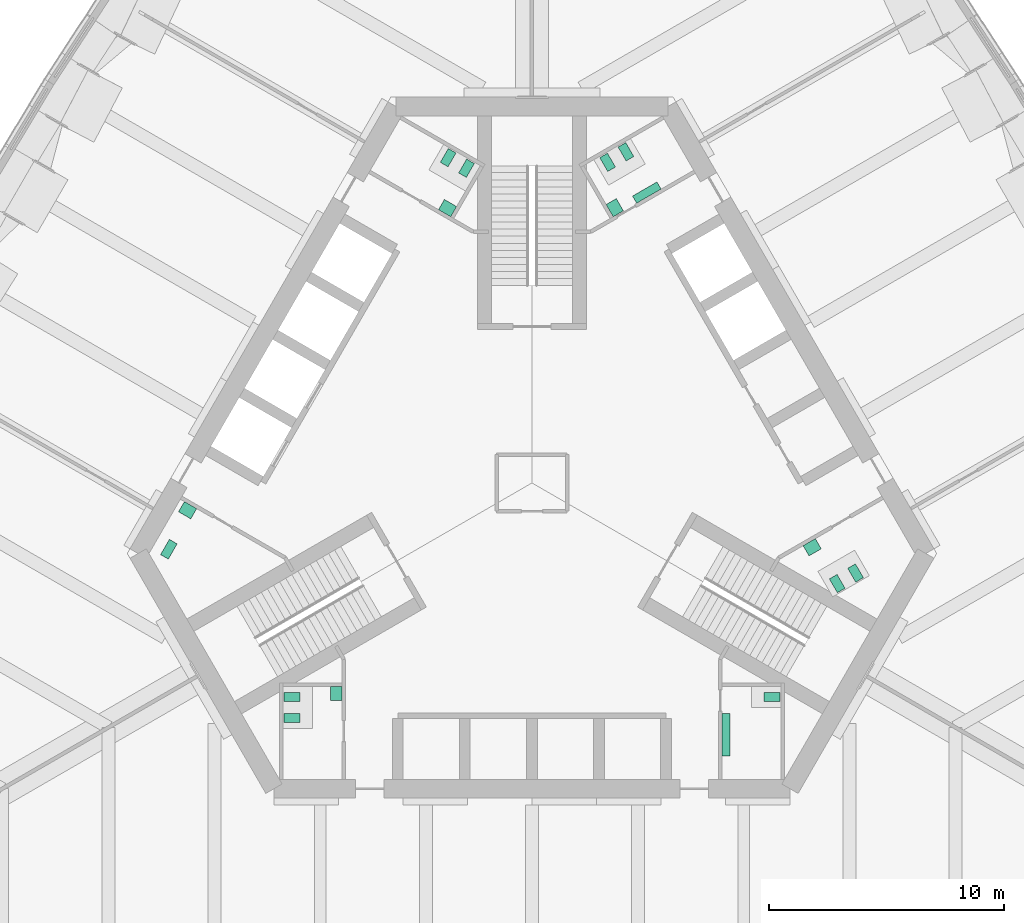
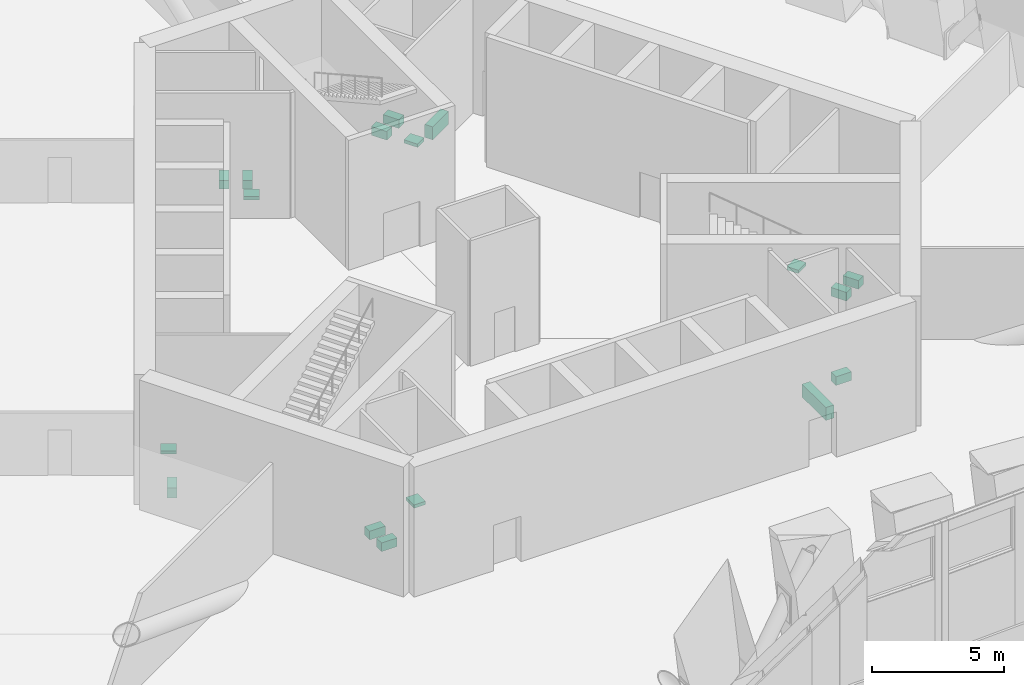
# One storey, part 24 of 25: 17 sanitary terminals.
"""IFC4 building model written with IfcOpenShell, lengths in metres."""

from ifc_helpers import new_model, si_unit, direction, frame, origin, place, context, subcontext, project, spatial, polyline, outline, extrude, material, type_object, element, save


model = new_model("IFC4")

# Units and contexts
model_context = context("Model", 3, precision=1e-05, world=origin(), true_north=direction((0.0, 1.0)))
body_context = subcontext(model_context, "Body", "Model", "MODEL_VIEW")
ifc_project = project(units=[si_unit("LENGTHUNIT", "METRE"), si_unit("AREAUNIT", "SQUARE_METRE"), si_unit("VOLUMEUNIT", "CUBIC_METRE"), si_unit("PLANEANGLEUNIT", "RADIAN"), si_unit("MASSUNIT", "GRAM", prefix="KILO")], contexts=[model_context])

# Site, building, storey
site_placement = place(None, origin())
site = spatial("IfcSite", under=ifc_project, at=site_placement, CompositionType="ELEMENT")
building_placement = place(site_placement, origin())
building = spatial("IfcBuilding", under=site, at=building_placement, Name="Trefoil Bronze Tower", CompositionType="ELEMENT")
storey_placement = place(building_placement, frame((0.0, 0.0, 178.699951171875)))
storey = spatial("IfcBuildingStorey", under=building, at=storey_placement, Name="L41", CompositionType="ELEMENT", Elevation=178.699951171875)

# Sanitary terminals
ifc_material_1 = material(Name="Vitreous china", Category="ceramic")
sanitary_terminal_type_1 = type_object("IfcSanitaryTerminalType", Name="Accessible WC pan", PredefinedType="TOILETPAN", material=ifc_material_1)
sanitary_terminal_1_placement = place(storey_placement, origin())
element("IfcSanitaryTerminal", 1, at=sanitary_terminal_1_placement, inside=storey, type_object=sanitary_terminal_type_1, Name="WC pan 1 Accessible WC L41", PredefinedType="TOILETPAN", context=body_context, shape_type="SweptSolid", body=[
    extrude(outline(polyline([(-15.085693359375, -2.589111328125), (-15.460693359375, -3.238525390625), (-15.789794921875, -3.048583984375), (-15.414794921875, -2.399169921875), (-15.085693359375, -2.589111328125)])), origin(), (0.0, 0.0, 1.0), 0.449951171875),
])
ifc_material_2 = material(Name="Vitreous china", Category="ceramic")
sanitary_terminal_type_2 = type_object("IfcSanitaryTerminalType", Name="Accessible basin", PredefinedType="WASHHANDBASIN", material=ifc_material_2)
sanitary_terminal_2_placement = place(storey_placement, frame((0.0, 0.0, 0.650146484375)))
element("IfcSanitaryTerminal", 2, at=sanitary_terminal_2_placement, inside=storey, type_object=sanitary_terminal_type_2, Name="Wash basin Accessible WC L41", PredefinedType="WASHHANDBASIN", context=body_context, shape_type="SweptSolid", body=[
    extrude(outline(polyline([(-14.256591796875, -1.09326171875), (-14.506591796875, -1.526123046875), (-15.026123046875, -1.22607421875), (-14.776123046875, -0.793212890625), (-14.256591796875, -1.09326171875)])), origin(), (0.0, 0.0, 1.0), 0.14990234375),
])
ifc_material_3 = material(Name="Vitreous china", Category="ceramic")
sanitary_terminal_type_3 = type_object("IfcSanitaryTerminalType", Name="Urinal range 2 urinals", PredefinedType="URINAL", material=ifc_material_3)
sanitary_terminal_3_placement = place(storey_placement, frame((0.0, 0.0, 0.400146484375)))
element("IfcSanitaryTerminal", 3, at=sanitary_terminal_3_placement, inside=storey, type_object=sanitary_terminal_type_3, Name="Urinal range WC (men) L41", PredefinedType="URINAL", context=body_context, shape_type="SweptSolid", body=[
    extrude(outline(polyline([(4.449462890625, 11.89306640625), (4.274658203125, 12.1962890625), (5.313720703125, 12.796142578125), (5.48876953125, 12.4931640625), (4.449462890625, 11.89306640625)])), origin(), (0.0, 0.0, 1.0), 0.599853515625),
])
ifc_material_4 = material(Name="Vitreous china", Category="ceramic")
sanitary_terminal_type_4 = type_object("IfcSanitaryTerminalType", Name="Urinal range 3 urinals", PredefinedType="URINAL", material=ifc_material_4)
sanitary_terminal_4_placement = place(storey_placement, frame((0.0, 0.0, 0.400146484375)))
element("IfcSanitaryTerminal", 4, at=sanitary_terminal_4_placement, inside=storey, type_object=sanitary_terminal_type_4, Name="Urinal range WC (men) L41", PredefinedType="URINAL", context=body_context, shape_type="SweptSolid", body=[
    extrude(outline(polyline([(8.074951171875, -9.800048828125), (8.425048828125, -9.800048828125), (8.425048828125, -11.60009765625), (8.074951171875, -11.60009765625), (8.074951171875, -9.800048828125)])), origin(), (0.0, 0.0, 1.0), 0.599853515625),
])
ifc_material_5 = material(Name="Solid surface vanity", Category="plastic")
sanitary_terminal_type_5 = type_object("IfcSanitaryTerminalType", Name="Vanity unit 1 basins", PredefinedType="WASHHANDBASIN", material=ifc_material_5)
sanitary_terminal_5_placement = place(storey_placement, frame((0.0, 0.0, 0.75)))
element("IfcSanitaryTerminal", 5, at=sanitary_terminal_5_placement, inside=storey, type_object=sanitary_terminal_type_5, Name="Vanity unit WC (women) L41", PredefinedType="WASHHANDBASIN", context=body_context, shape_type="SweptSolid", body=[
    extrude(outline(polyline([(11.528564453125, -2.668212890625), (11.778564453125, -3.10107421875), (12.29833984375, -2.80126953125), (12.04833984375, -2.3681640625), (11.528564453125, -2.668212890625)])), origin(), (0.0, 0.0, 1.0), 0.150146484375),
])
sanitary_terminal_6_placement = place(storey_placement, frame((0.0, 0.0, 0.75)))
element("IfcSanitaryTerminal", 6, at=sanitary_terminal_6_placement, inside=storey, type_object=sanitary_terminal_type_5, Name="Vanity unit WC (men) L41", PredefinedType="WASHHANDBASIN", context=body_context, shape_type="SweptSolid", body=[
    extrude(outline(polyline([(3.45361328125, 11.318115234375), (3.153564453125, 11.837890625), (3.586669921875, 12.087890625), (3.88671875, 11.568115234375), (3.45361328125, 11.318115234375)])), origin(), (0.0, 0.0, 1.0), 0.150146484375),
])
sanitary_terminal_7_placement = place(storey_placement, frame((0.0, 0.0, 0.75)))
element("IfcSanitaryTerminal", 7, at=sanitary_terminal_7_placement, inside=storey, type_object=sanitary_terminal_type_5, Name="Vanity unit WC (women) L41", PredefinedType="WASHHANDBASIN", context=body_context, shape_type="SweptSolid", body=[
    extrude(outline(polyline([(-3.45361328125, 11.318115234375), (-3.20361328125, 11.751220703125), (-3.72314453125, 12.05126953125), (-3.97314453125, 11.6181640625), (-3.45361328125, 11.318115234375)])), origin(), (0.0, 0.0, 1.0), 0.150146484375),
])
sanitary_terminal_8_placement = place(storey_placement, frame((0.0, 0.0, 0.75)))
element("IfcSanitaryTerminal", 8, at=sanitary_terminal_8_placement, inside=storey, type_object=sanitary_terminal_type_5, Name="Vanity unit WC (women) L41", PredefinedType="WASHHANDBASIN", context=body_context, shape_type="SweptSolid", body=[
    extrude(outline(polyline([(-8.074951171875, -8.64990234375), (-8.574951171875, -8.64990234375), (-8.574951171875, -9.25), (-8.074951171875, -9.25), (-8.074951171875, -8.64990234375)])), origin(), (0.0, 0.0, 1.0), 0.150146484375),
])
ifc_material_6 = material(Name="Vitreous china", Category="ceramic")
sanitary_terminal_type_6 = type_object("IfcSanitaryTerminalType", Name="WC pan", PredefinedType="TOILETPAN", material=ifc_material_6)
sanitary_terminal_9_placement = place(storey_placement, origin())
element("IfcSanitaryTerminal", 9, at=sanitary_terminal_9_placement, inside=storey, type_object=sanitary_terminal_type_6, Name="WC pan 1 WC (men) L41", PredefinedType="TOILETPAN", context=body_context, shape_type="SweptSolid", body=[
    extrude(outline(polyline([(9.85498046875, -8.909912109375), (10.534912109375, -8.909912109375), (10.534912109375, -9.2900390625), (9.85498046875, -9.2900390625), (9.85498046875, -8.909912109375)])), origin(), (0.0, 0.0, 1.0), 0.400146484375),
])
sanitary_terminal_10_placement = place(storey_placement, origin())
element("IfcSanitaryTerminal", 10, at=sanitary_terminal_10_placement, inside=storey, type_object=sanitary_terminal_type_6, Name="WC pan 1 WC (women) L41", PredefinedType="TOILETPAN", context=body_context, shape_type="SweptSolid", body=[
    extrude(outline(polyline([(12.643798828125, -4.07958984375), (12.98388671875, -4.66845703125), (13.31298828125, -4.478515625), (12.972900390625, -3.8896484375), (12.643798828125, -4.07958984375)])), origin(), (0.0, 0.0, 1.0), 0.400146484375),
])
sanitary_terminal_11_placement = place(storey_placement, origin())
element("IfcSanitaryTerminal", 11, at=sanitary_terminal_11_placement, inside=storey, type_object=sanitary_terminal_type_6, Name="WC pan 2 WC (women) L41", PredefinedType="TOILETPAN", context=body_context, shape_type="SweptSolid", body=[
    extrude(outline(polyline([(13.423095703125, -3.629638671875), (13.76318359375, -4.218505859375), (14.09228515625, -4.028564453125), (13.752197265625, -3.439697265625), (13.423095703125, -3.629638671875)])), origin(), (0.0, 0.0, 1.0), 0.400146484375),
])
sanitary_terminal_12_placement = place(storey_placement, origin())
element("IfcSanitaryTerminal", 12, at=sanitary_terminal_12_placement, inside=storey, type_object=sanitary_terminal_type_6, Name="WC pan 1 WC (men) L41", PredefinedType="TOILETPAN", context=body_context, shape_type="SweptSolid", body=[
    extrude(outline(polyline([(3.2216796875, 13.23974609375), (2.8818359375, 13.82861328125), (3.2109375, 14.0185546875), (3.55078125, 13.4296875), (3.2216796875, 13.23974609375)])), origin(), (0.0, 0.0, 1.0), 0.400146484375),
])
sanitary_terminal_13_placement = place(storey_placement, origin())
element("IfcSanitaryTerminal", 13, at=sanitary_terminal_13_placement, inside=storey, type_object=sanitary_terminal_type_6, Name="WC pan 2 WC (men) L41", PredefinedType="TOILETPAN", context=body_context, shape_type="SweptSolid", body=[
    extrude(outline(polyline([(4.001220703125, 13.689697265625), (3.6611328125, 14.278564453125), (3.990234375, 14.468505859375), (4.330322265625, 13.879638671875), (4.001220703125, 13.689697265625)])), origin(), (0.0, 0.0, 1.0), 0.400146484375),
])
sanitary_terminal_14_placement = place(storey_placement, origin())
element("IfcSanitaryTerminal", 14, at=sanitary_terminal_14_placement, inside=storey, type_object=sanitary_terminal_type_6, Name="WC pan 1 WC (women) L41", PredefinedType="TOILETPAN", context=body_context, shape_type="SweptSolid", body=[
    extrude(outline(polyline([(-2.788818359375, 12.98974609375), (-2.44873046875, 13.57861328125), (-2.77783203125, 13.7685546875), (-3.117919921875, 13.1796875), (-2.788818359375, 12.98974609375)])), origin(), (0.0, 0.0, 1.0), 0.400146484375),
])
sanitary_terminal_15_placement = place(storey_placement, origin())
element("IfcSanitaryTerminal", 15, at=sanitary_terminal_15_placement, inside=storey, type_object=sanitary_terminal_type_6, Name="WC pan 2 WC (women) L41", PredefinedType="TOILETPAN", context=body_context, shape_type="SweptSolid", body=[
    extrude(outline(polyline([(-3.568115234375, 13.439697265625), (-3.228271484375, 14.028564453125), (-3.557373046875, 14.218505859375), (-3.897216796875, 13.629638671875), (-3.568115234375, 13.439697265625)])), origin(), (0.0, 0.0, 1.0), 0.400146484375),
])
sanitary_terminal_16_placement = place(storey_placement, origin())
element("IfcSanitaryTerminal", 16, at=sanitary_terminal_16_placement, inside=storey, type_object=sanitary_terminal_type_6, Name="WC pan 1 WC (women) L41", PredefinedType="TOILETPAN", context=body_context, shape_type="SweptSolid", body=[
    extrude(outline(polyline([(-9.85498046875, -8.909912109375), (-10.534912109375, -8.909912109375), (-10.534912109375, -9.2900390625), (-9.85498046875, -9.2900390625), (-9.85498046875, -8.909912109375)])), origin(), (0.0, 0.0, 1.0), 0.400146484375),
])
sanitary_terminal_17_placement = place(storey_placement, origin())
element("IfcSanitaryTerminal", 17, at=sanitary_terminal_17_placement, inside=storey, type_object=sanitary_terminal_type_6, Name="WC pan 2 WC (women) L41", PredefinedType="TOILETPAN", context=body_context, shape_type="SweptSolid", body=[
    extrude(outline(polyline([(-9.85498046875, -9.81005859375), (-10.534912109375, -9.81005859375), (-10.534912109375, -10.18994140625), (-9.85498046875, -10.18994140625), (-9.85498046875, -9.81005859375)])), origin(), (0.0, 0.0, 1.0), 0.400146484375),
])

save(model, "model.ifc")
